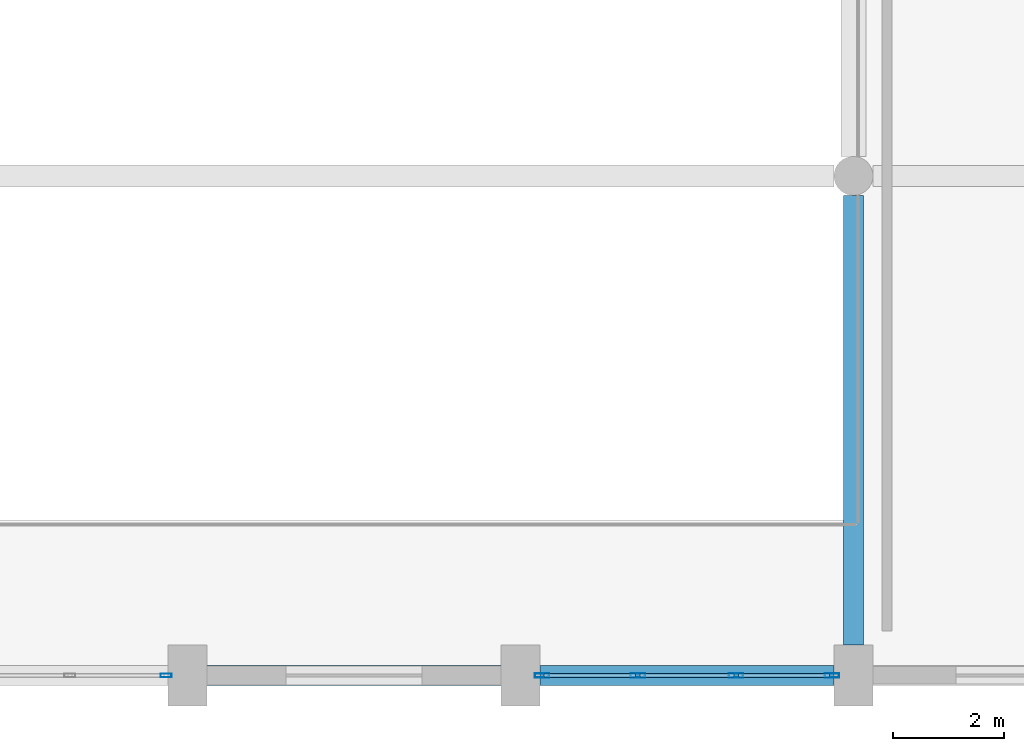
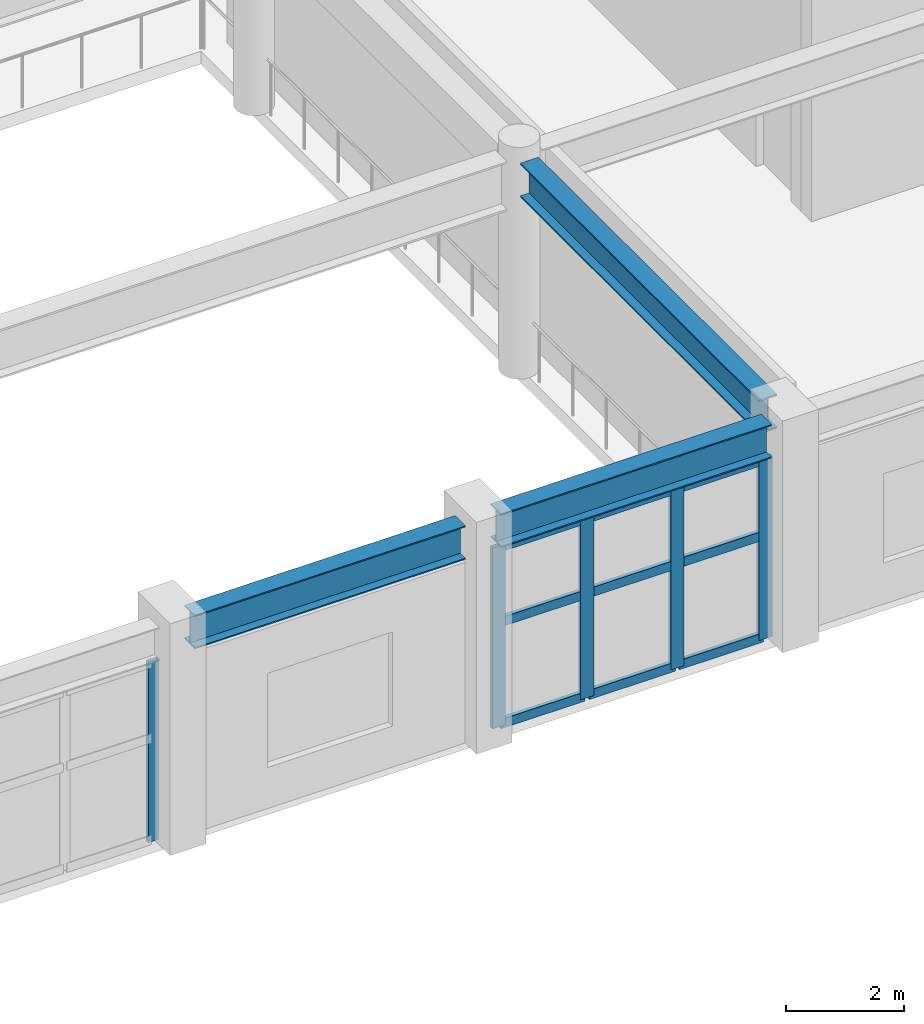
# One storey, part 22 of 80: 14 members, 3 beams, 2 elements without a shape of their own.
"""IFC4 building model written with IfcOpenShell, lengths in metres."""

from ifc_helpers import new_model, si_unit, direction, frame, origin, origin_2d, place, context, subcontext, project, spatial, hollow_rectangle, i_section, extrude, material, layer, layer_set, material_profile, profile_set, type_object, element, aggregate, save


model = new_model("IFC4")

# Units and contexts
model_context = context("Model", 3, precision=1e-05, world=origin(), true_north=direction((0.0, 1.0)))
body_context = subcontext(model_context, "Body", "Model", "MODEL_VIEW")
ifc_project = project(units=[si_unit("LENGTHUNIT", "METRE"), si_unit("AREAUNIT", "SQUARE_METRE"), si_unit("VOLUMEUNIT", "CUBIC_METRE"), si_unit("PLANEANGLEUNIT", "RADIAN"), si_unit("MASSUNIT", "GRAM", prefix="KILO")], contexts=[model_context])

# Site, building, storey
site_placement = place(None, origin())
site = spatial("IfcSite", under=ifc_project, at=site_placement, CompositionType="ELEMENT")
building_placement = place(site_placement, origin())
building = spatial("IfcBuilding", under=site, at=building_placement, Name="Vaelkrest Opera House", CompositionType="ELEMENT")
storey_placement = place(building_placement, frame((0.0, 0.0, 15.0)))
storey = spatial("IfcBuildingStorey", under=building, at=storey_placement, Name="L03", CompositionType="ELEMENT", Elevation=15.0)

# Beam
ifc_material_1 = material(Name="Steel A992 Gr50", Category="steel")
ifc_material_profile_1 = material_profile(ifc_material_1, i_section(OverallWidth=0.35791015625, OverallDepth=0.7060546875, WebThickness=0.018310546875, FlangeThickness=0.0302734375, at=origin_2d()), Name="W27X178")
ifc_profile_set_1 = profile_set([ifc_material_profile_1], Name="Steel A992 Gr50")
beam_type_1 = type_object("IfcBeamType", Name="B14", PredefinedType="BEAM", material=ifc_profile_set_1)
beam_placement = place(storey_placement, frame((18.0, -55.25, 4.152099609375), z_axis=(0.0, 1.0, 0.0), x_axis=(-1.0, 0.0, 0.0)))
element("IfcBeam", 1, at=beam_placement, inside=storey, type_object=beam_type_1, Name="Beam BM-V1-L03-0494", PredefinedType="BEAM", context=body_context, shape_type="SweptSolid", body=[
    extrude(i_section(OverallWidth=0.35791015625, OverallDepth=0.7060546875, WebThickness=0.018310546875, FlangeThickness=0.0302734375, at=origin_2d()), origin(), (0.0, 0.0, 1.0), 8.10009765625),
])

# Curtain wall, member
ifc_material_2 = material(Name="Dark bronze anodized aluminium", Category="aluminium")
ifc_layer_1 = layer(ifc_material_2, 0.22998046875)
ifc_layer_set_1 = layer_set([ifc_layer_1], Name="Dark bronze anodized aluminium")
curtain_wall_type_1 = type_object("IfcCurtainWallType", Name="CW06", PredefinedType="NOTDEFINED", material=ifc_layer_set_1)
curtain_wall_1_placement = place(storey_placement, origin())
curtain_wall_1 = element("IfcCurtainWall", 2, at=curtain_wall_1_placement, inside=storey, type_object=curtain_wall_type_1, Name="Curtain wall CW-L03-044", PredefinedType="NOTDEFINED")
ifc_material_profile_2 = material_profile(ifc_material_2, hollow_rectangle(XDim=0.070068359375, YDim=0.199951171875, WallThickness=0.004150390625, at=origin_2d()), Name="CWM70X200")
ifc_profile_set_2 = profile_set([ifc_material_profile_2], Name="Dark bronze anodized aluminium")
member_type_1 = type_object("IfcMemberType", Name="CWM02", PredefinedType="MULLION", material=ifc_profile_set_2)
member_1_placement = place(storey_placement, frame((5.616943359375, -55.800048828125, 0.0), z_axis=(0.0, 0.0, 1.0), x_axis=(0.0, -1.0, 0.0)))
member_1 = element("IfcMember", 3, at=member_1_placement, type_object=member_type_1, Name="CW06 mullion 1", PredefinedType="MULLION", context=body_context, shape_type="SweptSolid", body=[
    extrude(hollow_rectangle(XDim=0.070068359375, YDim=0.199951171875, WallThickness=0.004150390625, at=origin_2d()), origin(), (0.0, 0.0, 1.0), 3.7451171875),
])
aggregate(curtain_wall_1, [member_1])

# Curtain wall, members
ifc_layer_2 = layer(ifc_material_2, 0.2099609375)
ifc_layer_set_2 = layer_set([ifc_layer_2], Name="Dark bronze anodized aluminium")
curtain_wall_type_2 = type_object("IfcCurtainWallType", Name="CW04", PredefinedType="NOTDEFINED", material=ifc_layer_set_2)
curtain_wall_2_placement = place(storey_placement, origin())
curtain_wall_2 = element("IfcCurtainWall", 4, at=curtain_wall_2_placement, inside=storey, type_object=curtain_wall_type_2, Name="Curtain wall CW-L03-043", PredefinedType="NOTDEFINED")
ifc_material_profile_3 = material_profile(ifc_material_2, hollow_rectangle(XDim=0.080078125, YDim=0.260009765625, WallThickness=0.0048828125, at=origin_2d()), Name="CWM80X260")
ifc_profile_set_3 = profile_set([ifc_material_profile_3], Name="Dark bronze anodized aluminium")
member_type_2 = type_object("IfcMemberType", Name="CWM04", PredefinedType="MULLION", material=ifc_profile_set_3)
member_2_placement = place(storey_placement, frame((17.612060546875, -55.800048828125, 0.0), z_axis=(0.0, 0.0, 1.0), x_axis=(0.0, -1.0, 0.0)))
member_2 = element("IfcMember", 5, at=member_2_placement, type_object=member_type_2, Name="CW04 mullion 1", PredefinedType="MULLION", context=body_context, shape_type="SweptSolid", body=[
    extrude(hollow_rectangle(XDim=0.080078125, YDim=0.260009765625, WallThickness=0.0048828125, at=origin_2d()), origin(), (0.0, 0.0, 1.0), 3.7451171875),
])
member_3_placement = place(storey_placement, frame((15.884033203125, -55.800048828125, 0.0), z_axis=(0.0, 0.0, 1.0), x_axis=(0.0, -1.0, 0.0)))
member_3 = element("IfcMember", 6, at=member_3_placement, type_object=member_type_2, Name="CW04 mullion 2", PredefinedType="MULLION", context=body_context, shape_type="SweptSolid", body=[
    extrude(hollow_rectangle(XDim=0.080078125, YDim=0.260009765625, WallThickness=0.0048828125, at=origin_2d()), origin(), (0.0, 0.0, 1.0), 3.7451171875),
])
member_4_placement = place(storey_placement, frame((14.115966796875, -55.800048828125, 0.0), z_axis=(0.0, 0.0, 1.0), x_axis=(0.0, -1.0, 0.0)))
member_4 = element("IfcMember", 7, at=member_4_placement, type_object=member_type_2, Name="CW04 mullion 3", PredefinedType="MULLION", context=body_context, shape_type="SweptSolid", body=[
    extrude(hollow_rectangle(XDim=0.080078125, YDim=0.260009765625, WallThickness=0.0048828125, at=origin_2d()), origin(), (0.0, 0.0, 1.0), 3.7451171875),
])
member_5_placement = place(storey_placement, frame((12.387939453125, -55.800048828125, 0.0), z_axis=(0.0, 0.0, 1.0), x_axis=(0.0, -1.0, 0.0)))
member_5 = element("IfcMember", 8, at=member_5_placement, type_object=member_type_2, Name="CW04 mullion 4", PredefinedType="MULLION", context=body_context, shape_type="SweptSolid", body=[
    extrude(hollow_rectangle(XDim=0.080078125, YDim=0.260009765625, WallThickness=0.0048828125, at=origin_2d()), origin(), (0.0, 0.0, 1.0), 3.7451171875),
])
ifc_material_profile_4 = material_profile(ifc_material_2, hollow_rectangle(XDim=0.080078125, YDim=0.18994140625, WallThickness=0.0048828125, at=origin_2d()), Name="CWT80X190")
ifc_profile_set_4 = profile_set([ifc_material_profile_4], Name="Dark bronze anodized aluminium")
member_type_3 = type_object("IfcMemberType", Name="CWT04", PredefinedType="USERDEFINED", material=ifc_profile_set_4)
member_6_placement = place(storey_placement, frame((17.572021484375, -55.800048828125, 0.0400390625), z_axis=(-1.0, 0.0, 0.0), x_axis=(0.0, -1.0, 0.0)))
member_6 = element("IfcMember", 9, at=member_6_placement, type_object=member_type_3, Name="CW04 transom 1.1", ObjectType="TRANSOM", PredefinedType="USERDEFINED", context=body_context, shape_type="SweptSolid", body=[
    extrude(hollow_rectangle(XDim=0.080078125, YDim=0.18994140625, WallThickness=0.0048828125, at=origin_2d()), origin(), (0.0, 0.0, 1.0), 1.64794921875),
])
member_7_placement = place(storey_placement, frame((17.572021484375, -55.800048828125, 2.14990234375), z_axis=(-1.0, 0.0, 0.0), x_axis=(0.0, -1.0, 0.0)))
member_7 = element("IfcMember", 10, at=member_7_placement, type_object=member_type_3, Name="CW04 transom 1.2", ObjectType="TRANSOM", PredefinedType="USERDEFINED", context=body_context, shape_type="SweptSolid", body=[
    extrude(hollow_rectangle(XDim=0.080078125, YDim=0.18994140625, WallThickness=0.0048828125, at=origin_2d()), origin(), (0.0, 0.0, 1.0), 1.64794921875),
])
member_8_placement = place(storey_placement, frame((17.572021484375, -55.800048828125, 3.705078125), z_axis=(-1.0, 0.0, 0.0), x_axis=(0.0, -1.0, 0.0)))
member_8 = element("IfcMember", 11, at=member_8_placement, type_object=member_type_3, Name="CW04 transom 1.3", ObjectType="TRANSOM", PredefinedType="USERDEFINED", context=body_context, shape_type="SweptSolid", body=[
    extrude(hollow_rectangle(XDim=0.080078125, YDim=0.18994140625, WallThickness=0.0048828125, at=origin_2d()), origin(), (0.0, 0.0, 1.0), 1.64794921875),
])
member_9_placement = place(storey_placement, frame((15.843994140625, -55.800048828125, 0.0400390625), z_axis=(-1.0, 0.0, 0.0), x_axis=(0.0, -1.0, 0.0)))
member_9 = element("IfcMember", 12, at=member_9_placement, type_object=member_type_3, Name="CW04 transom 2.1", ObjectType="TRANSOM", PredefinedType="USERDEFINED", context=body_context, shape_type="SweptSolid", body=[
    extrude(hollow_rectangle(XDim=0.080078125, YDim=0.18994140625, WallThickness=0.0048828125, at=origin_2d()), origin(), (0.0, 0.0, 1.0), 1.68798828125),
])
member_10_placement = place(storey_placement, frame((15.843994140625, -55.800048828125, 2.14990234375), z_axis=(-1.0, 0.0, 0.0), x_axis=(0.0, -1.0, 0.0)))
member_10 = element("IfcMember", 13, at=member_10_placement, type_object=member_type_3, Name="CW04 transom 2.2", ObjectType="TRANSOM", PredefinedType="USERDEFINED", context=body_context, shape_type="SweptSolid", body=[
    extrude(hollow_rectangle(XDim=0.080078125, YDim=0.18994140625, WallThickness=0.0048828125, at=origin_2d()), origin(), (0.0, 0.0, 1.0), 1.68798828125),
])
member_11_placement = place(storey_placement, frame((15.843994140625, -55.800048828125, 3.705078125), z_axis=(-1.0, 0.0, 0.0), x_axis=(0.0, -1.0, 0.0)))
member_11 = element("IfcMember", 14, at=member_11_placement, type_object=member_type_3, Name="CW04 transom 2.3", ObjectType="TRANSOM", PredefinedType="USERDEFINED", context=body_context, shape_type="SweptSolid", body=[
    extrude(hollow_rectangle(XDim=0.080078125, YDim=0.18994140625, WallThickness=0.0048828125, at=origin_2d()), origin(), (0.0, 0.0, 1.0), 1.68798828125),
])
member_12_placement = place(storey_placement, frame((14.075927734375, -55.800048828125, 0.0400390625), z_axis=(-1.0, 0.0, 0.0), x_axis=(0.0, -1.0, 0.0)))
member_12 = element("IfcMember", 15, at=member_12_placement, type_object=member_type_3, Name="CW04 transom 3.1", ObjectType="TRANSOM", PredefinedType="USERDEFINED", context=body_context, shape_type="SweptSolid", body=[
    extrude(hollow_rectangle(XDim=0.080078125, YDim=0.18994140625, WallThickness=0.0048828125, at=origin_2d()), origin(), (0.0, 0.0, 1.0), 1.64794921875),
])
member_13_placement = place(storey_placement, frame((14.075927734375, -55.800048828125, 2.14990234375), z_axis=(-1.0, 0.0, 0.0), x_axis=(0.0, -1.0, 0.0)))
member_13 = element("IfcMember", 16, at=member_13_placement, type_object=member_type_3, Name="CW04 transom 3.2", ObjectType="TRANSOM", PredefinedType="USERDEFINED", context=body_context, shape_type="SweptSolid", body=[
    extrude(hollow_rectangle(XDim=0.080078125, YDim=0.18994140625, WallThickness=0.0048828125, at=origin_2d()), origin(), (0.0, 0.0, 1.0), 1.64794921875),
])
member_14_placement = place(storey_placement, frame((14.075927734375, -55.800048828125, 3.705078125), z_axis=(-1.0, 0.0, 0.0), x_axis=(0.0, -1.0, 0.0)))
member_14 = element("IfcMember", 17, at=member_14_placement, type_object=member_type_3, Name="CW04 transom 3.3", ObjectType="TRANSOM", PredefinedType="USERDEFINED", context=body_context, shape_type="SweptSolid", body=[
    extrude(hollow_rectangle(XDim=0.080078125, YDim=0.18994140625, WallThickness=0.0048828125, at=origin_2d()), origin(), (0.0, 0.0, 1.0), 1.64794921875),
])
aggregate(curtain_wall_2, [member_2, member_3, member_4, member_5, member_6, member_7, member_8, member_9, member_10, member_11, member_12, member_13, member_14])

# Beams
ifc_material_profile_5 = material_profile(ifc_material_1, i_section(OverallWidth=0.35498046875, OverallDepth=0.695068359375, WebThickness=0.015380859375, FlangeThickness=0.02490234375, at=origin_2d()), Name="W27X146")
ifc_profile_set_5 = profile_set([ifc_material_profile_5], Name="Steel A992 Gr50")
beam_type_2 = type_object("IfcBeamType", Name="SP02", PredefinedType="SPANDREL", material=ifc_profile_set_5)
for number, where, z_axis, x_axis, name in (
    (18, (6.35009765625, -55.800048828125, 4.157470703125), (1.0, 0.0, 0.0), (0.0, 1.0, 0.0), "Beam BM-V1-L03-0427"),
    (19, (12.35009765625, -55.800048828125, 4.157470703125), (1.0, 0.0, 0.0), (0.0, 1.0, 0.0), "Beam BM-V1-L03-0428"),
):
    element("IfcBeam", number, at=place(storey_placement, frame(where, z_axis=z_axis, x_axis=x_axis)), inside=storey, type_object=beam_type_2, Name=name, PredefinedType="SPANDREL", context=body_context, shape_type="SweptSolid", body=[
        extrude(i_section(OverallWidth=0.35498046875, OverallDepth=0.695068359375, WebThickness=0.015380859375, FlangeThickness=0.02490234375, at=origin_2d()), origin(), (0.0, 0.0, 1.0), 5.2998046875),
    ])

save(model, "model.ifc")
